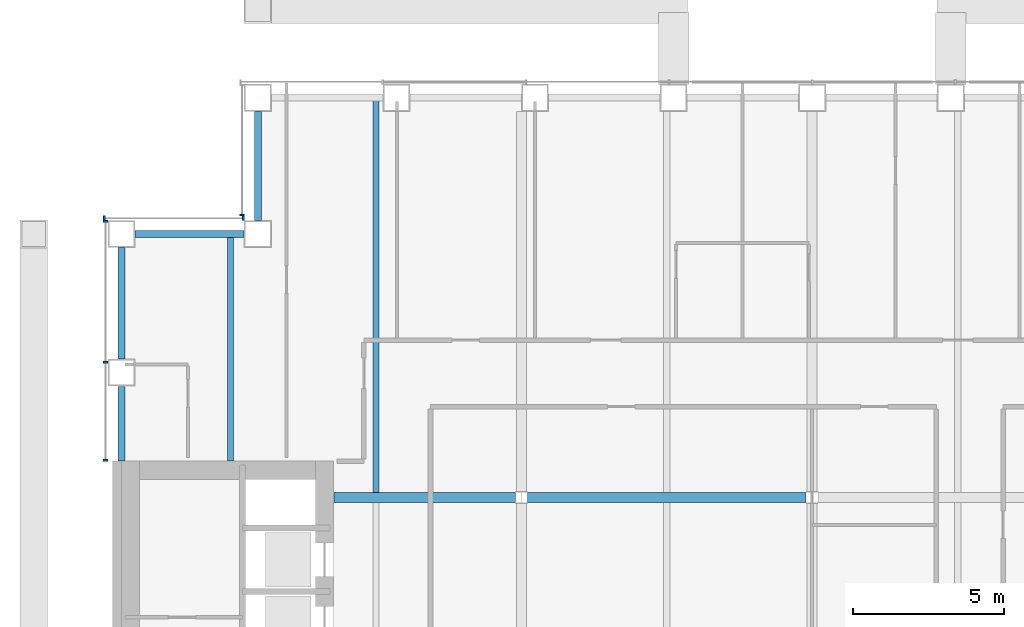
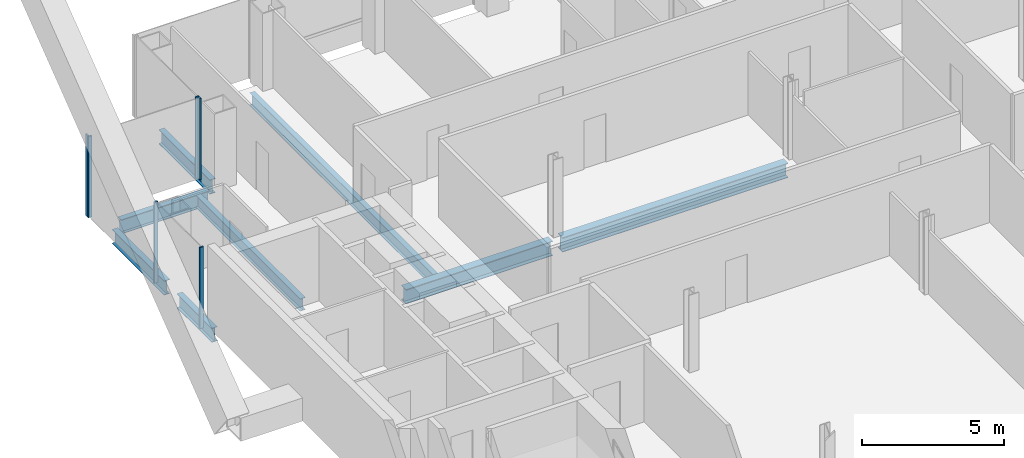
# One storey, part 7 of 17: 8 beams, 6 members, 3 elements without a shape of their own.
"""IFC4 building model written with IfcOpenShell, lengths in metres."""

from ifc_helpers import new_model, si_unit, direction, frame, origin, origin_2d, place, context, subcontext, project, spatial, rectangle, i_section, extrude, material, material_profile, profile_set, type_object, element, aggregate, save


model = new_model("IFC4")

# Units and contexts
model_context = context("Model", 3, precision=1e-05, world=origin(), true_north=direction((0.0, 1.0)))
body_context = subcontext(model_context, "Body", "Model", "MODEL_VIEW")
ifc_project = project(units=[si_unit("LENGTHUNIT", "METRE"), si_unit("AREAUNIT", "SQUARE_METRE"), si_unit("VOLUMEUNIT", "CUBIC_METRE"), si_unit("PLANEANGLEUNIT", "RADIAN"), si_unit("MASSUNIT", "GRAM", prefix="KILO")], contexts=[model_context])

# Site, building, storey
site_placement = place(None, origin())
site = spatial("IfcSite", under=ifc_project, at=site_placement, CompositionType="ELEMENT")
building_placement = place(site_placement, origin())
building = spatial("IfcBuilding", under=site, at=building_placement, Name="Cobrizo Arcos Hotel Tower", CompositionType="ELEMENT")
storey_placement = place(building_placement, frame((0.0, 0.0, 106.5)))
storey = spatial("IfcBuildingStorey", under=building, at=storey_placement, Name="L26", CompositionType="ELEMENT", Elevation=106.5)

# Curtain wall, member
ifc_material_1 = material(Name="Aluminium 6063-T6 anodised bronze", Category="aluminium")
curtain_wall_type = type_object("IfcCurtainWallType", Name="CW-A guest facade", PredefinedType="NOTDEFINED", material=ifc_material_1)
curtain_wall_1_placement = place(storey_placement, origin())
curtain_wall_1 = element("IfcCurtainWall", 1, at=curtain_wall_1_placement, inside=storey, type_object=curtain_wall_type, Name="CW-A L26 W face", PredefinedType="NOTDEFINED")
ifc_material_profile_1 = material_profile(ifc_material_1, rectangle(XDim=0.14990234375, YDim=0.06005859375, at=origin_2d()), Name="CW-A mullion 150x60")
ifc_profile_set_1 = profile_set([ifc_material_profile_1], Name="Aluminium 6063-T6 anodised bronze")
member_type = type_object("IfcMemberType", Name="CW-A mullion 150x60", PredefinedType="MULLION", material=ifc_profile_set_1)
member_1_placement = place(storey_placement, frame((-18.824951171875, 18.929931640625, 0.0), z_axis=(0.0, 0.0, 1.0), x_axis=(-1.0, 0.0, 0.0)))
member_1 = element("IfcMember", 2, at=member_1_placement, type_object=member_type, Name="CW-A mullion 2", PredefinedType="MULLION", context=body_context, shape_type="SweptSolid", body=[
    extrude(rectangle(XDim=0.14990234375, YDim=0.06005859375, at=origin_2d()), origin(), (0.0, 0.0, 1.0), 3.5),
])
aggregate(curtain_wall_1, [member_1])

# Curtain wall, members
curtain_wall_2_placement = place(storey_placement, origin())
curtain_wall_2 = element("IfcCurtainWall", 3, at=curtain_wall_2_placement, inside=storey, type_object=curtain_wall_type, Name="CW-A L26 N face", PredefinedType="NOTDEFINED")
member_2_placement = place(storey_placement, frame((-18.780029296875, 18.824951171875, 0.0), z_axis=(0.0, 0.0, 1.0), x_axis=(0.0, 1.0, 0.0)))
member_2 = element("IfcMember", 4, at=member_2_placement, type_object=member_type, Name="CW-A mullion 1", PredefinedType="MULLION", context=body_context, shape_type="SweptSolid", body=[
    extrude(rectangle(XDim=0.14990234375, YDim=0.06005859375, at=origin_2d()), origin(), (0.0, 0.0, 1.0), 3.5),
])
member_3_placement = place(storey_placement, frame((-23.3701171875, 18.824951171875, 0.0), z_axis=(0.0, 0.0, 1.0), x_axis=(0.0, 1.0, 0.0)))
member_3 = element("IfcMember", 5, at=member_3_placement, type_object=member_type, Name="CW-A mullion 2", PredefinedType="MULLION", context=body_context, shape_type="SweptSolid", body=[
    extrude(rectangle(XDim=0.14990234375, YDim=0.06005859375, at=origin_2d()), origin(), (0.0, 0.0, 1.0), 3.5),
])
aggregate(curtain_wall_2, [member_2, member_3])

curtain_wall_3_placement = place(storey_placement, origin())
curtain_wall_3 = element("IfcCurtainWall", 6, at=curtain_wall_3_placement, inside=storey, type_object=curtain_wall_type, Name="CW-A L26 W face", PredefinedType="NOTDEFINED")
member_4_placement = place(storey_placement, frame((-23.324951171875, 18.719970703125, 0.0), z_axis=(0.0, 0.0, 1.0), x_axis=(-1.0, 0.0, 0.0)))
member_4 = element("IfcMember", 7, at=member_4_placement, type_object=member_type, Name="CW-A mullion 1", PredefinedType="MULLION", context=body_context, shape_type="SweptSolid", body=[
    extrude(rectangle(XDim=0.14990234375, YDim=0.06005859375, at=origin_2d()), origin(), (0.0, 0.0, 1.0), 3.5),
])
member_5_placement = place(storey_placement, frame((-23.324951171875, 14.0625, 0.0), z_axis=(0.0, 0.0, 1.0), x_axis=(-1.0, 0.0, 0.0)))
member_5 = element("IfcMember", 8, at=member_5_placement, type_object=member_type, Name="CW-A mullion 2", PredefinedType="MULLION", context=body_context, shape_type="SweptSolid", body=[
    extrude(rectangle(XDim=0.14990234375, YDim=0.06005859375, at=origin_2d()), origin(), (0.0, 0.0, 1.0), 3.5),
])
member_6_placement = place(storey_placement, frame((-23.324951171875, 10.830078125, 0.0), z_axis=(0.0, 0.0, 1.0), x_axis=(-1.0, 0.0, 0.0)))
member_6 = element("IfcMember", 9, at=member_6_placement, type_object=member_type, Name="CW-A mullion 3", PredefinedType="MULLION", context=body_context, shape_type="SweptSolid", body=[
    extrude(rectangle(XDim=0.14990234375, YDim=0.06005859375, at=origin_2d()), origin(), (0.0, 0.0, 1.0), 3.5),
])
aggregate(curtain_wall_3, [member_4, member_5, member_6])

# Beams
ifc_material_2 = material(Name="Steel ASTM A992 Grade 50", Category="steel")
ifc_material_profile_2 = material_profile(ifc_material_2, i_section(OverallWidth=0.209228515625, OverallDepth=0.533447265625, WebThickness=0.01025390625, FlangeThickness=0.015625, at=origin_2d()), Name="W21X62")
ifc_profile_set_2 = profile_set([ifc_material_profile_2], Name="Steel ASTM A992 Grade 50")
beam_type_1 = type_object("IfcBeamType", Name="W21X62 joist", PredefinedType="JOIST", material=ifc_profile_set_2)
beam_1_placement = place(storey_placement, frame((-19.199951171875, 10.81005859375, -0.416748046875), z_axis=(0.0, 1.0, 0.0), x_axis=(-1.0, 0.0, 0.0)))
element("IfcBeam", 10, at=beam_1_placement, inside=storey, type_object=beam_type_1, Name="Floor joist J1, L26, no. 002", PredefinedType="JOIST", context=body_context, shape_type="SweptSolid", body=[
    extrude(i_section(OverallWidth=0.209228515625, OverallDepth=0.533447265625, WebThickness=0.01025390625, FlangeThickness=0.015625, at=origin_2d()), origin(), (0.0, 0.0, 1.0), 7.39990234375),
])
beam_2_placement = place(storey_placement, frame((-14.39990234375, 9.763916015625, -0.416748046875), z_axis=(0.0, 1.0, 0.0), x_axis=(-1.0, 0.0, 0.0)))
element("IfcBeam", 11, at=beam_2_placement, inside=storey, type_object=beam_type_1, Name="Floor joist J1, L26, no. 006", PredefinedType="JOIST", context=body_context, shape_type="SweptSolid", body=[
    extrude(i_section(OverallWidth=0.209228515625, OverallDepth=0.533447265625, WebThickness=0.01025390625, FlangeThickness=0.015625, at=origin_2d()), origin(), (0.0, 0.0, 1.0), 12.946044921875),
])
ifc_material_profile_3 = material_profile(ifc_material_2, i_section(OverallWidth=0.32763671875, OverallDepth=0.622314453125, WebThickness=0.015380859375, FlangeThickness=0.0244140625, at=origin_2d()), Name="W24X131")
ifc_profile_set_3 = profile_set([ifc_material_profile_3], Name="Steel ASTM A992 Grade 50")
beam_type_2 = type_object("IfcBeamType", Name="W24X131 girder", PredefinedType="BEAM", material=ifc_profile_set_3)
beam_3_placement = place(storey_placement, frame((-15.7900390625, 9.60009765625, -0.461181640625), z_axis=(1.0, 0.0, 0.0), x_axis=(0.0, 1.0, 0.0)))
element("IfcBeam", 12, at=beam_3_placement, inside=storey, type_object=beam_type_2, Name="Floor girder G1, L26, no. 009", PredefinedType="BEAM", context=body_context, shape_type="SweptSolid", body=[
    extrude(i_section(OverallWidth=0.32763671875, OverallDepth=0.622314453125, WebThickness=0.015380859375, FlangeThickness=0.0244140625, at=origin_2d()), origin(), (0.0, 0.0, 1.0), 5.99072265625),
])
beam_4_placement = place(storey_placement, frame((-9.400634765625, 9.60009765625, -0.461181640625), z_axis=(1.0, 0.0, 0.0), x_axis=(0.0, 1.0, 0.0)))
element("IfcBeam", 13, at=beam_4_placement, inside=storey, type_object=beam_type_2, Name="Floor girder G1, L26, no. 010", PredefinedType="BEAM", context=body_context, shape_type="SweptSolid", body=[
    extrude(i_section(OverallWidth=0.32763671875, OverallDepth=0.622314453125, WebThickness=0.015380859375, FlangeThickness=0.0244140625, at=origin_2d()), origin(), (0.0, 0.0, 1.0), 9.201171875),
])
ifc_material_profile_4 = material_profile(ifc_material_2, i_section(OverallWidth=0.23046875, OverallDepth=0.6171875, WebThickness=0.01318359375, FlangeThickness=0.022216796875, at=origin_2d()), Name="W24X94")
ifc_profile_set_4 = profile_set([ifc_material_profile_4], Name="Steel ASTM A992 Grade 50")
beam_type_3 = type_object("IfcBeamType", Name="W24X94 spandrel", PredefinedType="SPANDREL", material=ifc_profile_set_4)
for number, where, z_axis, x_axis, name in (
    (14, (-18.300048828125, 22.35009765625, -0.45849609375), (0.0, -1.0, 0.0), (1.0, 0.0, 0.0), "Spandrel beam W24X94, L26, no. 025"),
    (15, (-18.75, 18.300048828125, -0.45849609375), (-1.0, 0.0, 0.0), (0.0, -1.0, 0.0), "Spandrel beam W24X94, L26, no. 026"),
):
    element("IfcBeam", number, at=place(storey_placement, frame(where, z_axis=z_axis, x_axis=x_axis)), inside=storey, type_object=beam_type_3, Name=name, PredefinedType="SPANDREL", context=body_context, shape_type="SweptSolid", body=[
        extrude(i_section(OverallWidth=0.23046875, OverallDepth=0.6171875, WebThickness=0.01318359375, FlangeThickness=0.022216796875, at=origin_2d()), origin(), (0.0, 0.0, 1.0), 3.60009765625),
    ])
beam_5_placement = place(storey_placement, frame((-22.800048828125, 17.85009765625, -0.45849609375), z_axis=(0.0, -1.0, 0.0), x_axis=(1.0, 0.0, 0.0)))
element("IfcBeam", 16, at=beam_5_placement, inside=storey, type_object=beam_type_3, Name="Spandrel beam W24X94, L26, no. 027", PredefinedType="SPANDREL", context=body_context, shape_type="SweptSolid", body=[
    extrude(i_section(OverallWidth=0.23046875, OverallDepth=0.6171875, WebThickness=0.01318359375, FlangeThickness=0.022216796875, at=origin_2d()), origin(), (0.0, 0.0, 1.0), 3.675048828125),
])
beam_6_placement = place(storey_placement, frame((-22.800048828125, 13.27490234375, -0.45849609375), z_axis=(0.0, -1.0, 0.0), x_axis=(1.0, 0.0, 0.0)))
element("IfcBeam", 17, at=beam_6_placement, inside=storey, type_object=beam_type_3, Name="Spandrel beam W24X94, L26, no. 028", PredefinedType="SPANDREL", context=body_context, shape_type="SweptSolid", body=[
    extrude(i_section(OverallWidth=0.23046875, OverallDepth=0.6171875, WebThickness=0.01318359375, FlangeThickness=0.022216796875, at=origin_2d()), origin(), (0.0, 0.0, 1.0), 2.46484375),
])

save(model, "model.ifc")
